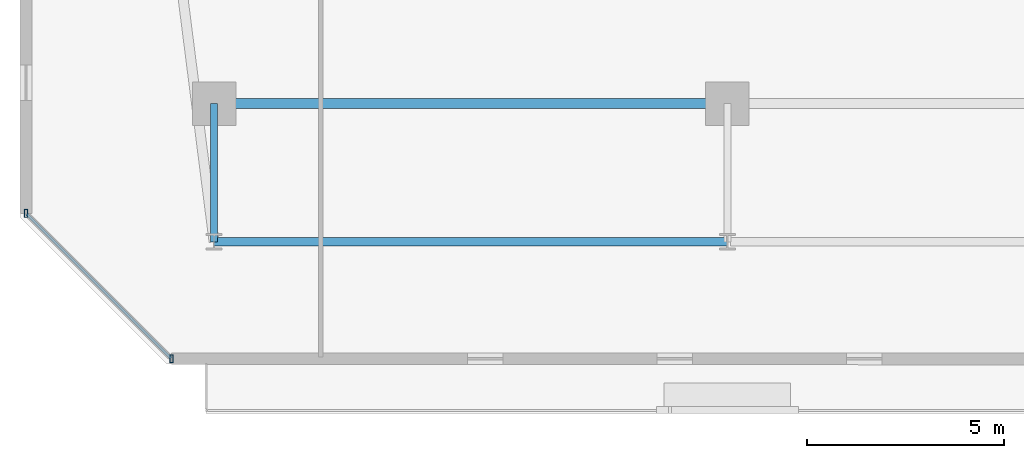
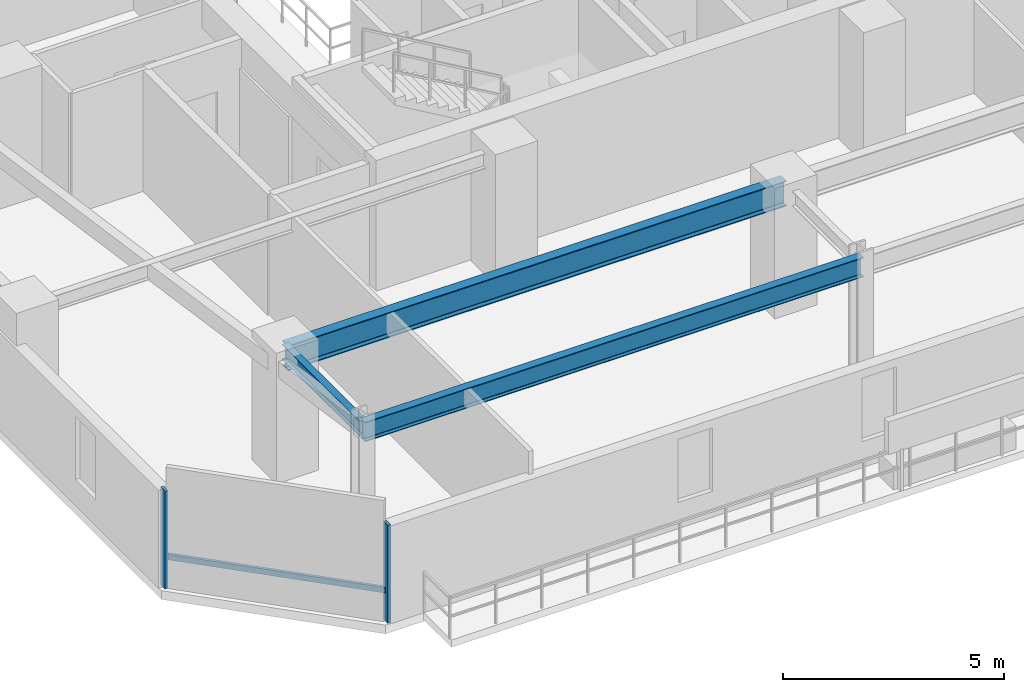
# One storey, part 3 of 32: 3 beams, 3 members, 1 element without a shape of its own.
"""IFC4 building model written with IfcOpenShell, lengths in metres."""

import ifcopenshell
import ifcopenshell.guid

model = None  # the IFC model being written
_history = None  # IfcOwnerHistory: only IFC2X3 demands one
_inside = {}  # id of a spatial element -> (the spatial element, [elements in it])
_under = {}  # id of a project, library or spatial element -> (it, [spatial elements below it])
_declared = {}  # id of a project -> (the project, [libraries it declares])
_typed = {}  # id of a type object -> (the type object, [elements of that type])
_made_of = {}  # id of a material, layer set ... -> (it, [elements and type objects made of it])


def new_model(schema):
    """Start an empty IFC model of exactly this schema.

    Asked for "IFC4X3", IfcOpenShell would pick the latest addendum, in which some entities
    have other attributes; the version numbers below select the first issue.
    IFC2X3 requires an IfcOwnerHistory on every rooted entity: one is made here for all.
    """
    global model, _history
    if schema == "IFC4X3":
        model = ifcopenshell.file(schema_version=(4, 3, 0, 0))
    else:
        model = ifcopenshell.file(schema=schema)
    _inside.clear()
    _under.clear()
    _declared.clear()
    _typed.clear()
    _made_of.clear()
    _history = None
    if model.schema == "IFC2X3":
        org = make("IfcOrganization", Name="unknown")
        user = make(
            "IfcPersonAndOrganization",
            ThePerson=make("IfcPerson", FamilyName="unknown"),
            TheOrganization=org,
        )
        app = make(
            "IfcApplication",
            ApplicationDeveloper=org,
            Version="unknown",
            ApplicationFullName="unknown",
            ApplicationIdentifier="unknown",
        )
        _history = make(
            "IfcOwnerHistory",
            OwningUser=user,
            OwningApplication=app,
            ChangeAction="ADDED",
            CreationDate=0,
        )
    return model


def make(cls, **values):
    """One entity of the class cls with the attributes given. An attribute that is None is left unset."""
    return model.create_entity(
        cls, **{name: value for name, value in values.items() if value is not None}
    )


def rooted(cls, **values):
    """An entity with a GlobalId (a new one), such as an element, a storey or a relation."""
    return make(cls, GlobalId=ifcopenshell.guid.new(), OwnerHistory=_history, **values)


def si_unit(unit_type, name, prefix=None):
    """IfcSIUnit, for example si_unit("LENGTHUNIT", "METRE", prefix="MILLI")."""
    return make("IfcSIUnit", UnitType=unit_type, Prefix=prefix, Name=name)


def assignment(units):
    """IfcUnitAssignment: the units of a project."""
    return None if units is None else make("IfcUnitAssignment", Units=units)


def point(xyz):
    """IfcCartesianPoint."""
    return None if xyz is None else make("IfcCartesianPoint", Coordinates=xyz)


def direction(xyz):
    """IfcDirection."""
    return None if xyz is None else make("IfcDirection", DirectionRatios=xyz)


def frame(location, z_axis=None, x_axis=None):
    """IfcAxis2Placement3D, a coordinate frame: its origin and axes. An axis left out is left unset."""
    return make(
        "IfcAxis2Placement3D",
        Location=point(location),
        Axis=direction(z_axis),
        RefDirection=direction(x_axis),
    )


def frame_2d(location, x_axis=None):
    """IfcAxis2Placement2D, a coordinate frame in the plane: its origin and x axis."""
    return make(
        "IfcAxis2Placement2D", Location=point(location), RefDirection=direction(x_axis)
    )


def origin():
    """The frame at (0, 0, 0) with its axes left unset."""
    return frame((0.0, 0.0, 0.0))


def origin_2d():
    """The frame at (0, 0) in the plane with its x axis left unset."""
    return frame_2d((0.0, 0.0))


def place(relative_to, where):
    """IfcLocalPlacement: puts the frame where relative to a parent placement (None: the world)."""
    return make(
        "IfcLocalPlacement", PlacementRelTo=relative_to, RelativePlacement=where
    )


def context(
    kind, dimensions, precision=None, world=None, true_north=None, identifier=None
):
    """IfcGeometricRepresentationContext, for example the 3D "Model" context."""
    return make(
        "IfcGeometricRepresentationContext",
        ContextIdentifier=identifier,
        ContextType=kind,
        CoordinateSpaceDimension=dimensions,
        Precision=precision,
        WorldCoordinateSystem=world,
        TrueNorth=true_north,
    )


def subcontext(parent, identifier, kind, view, scale=None):
    """IfcGeometricRepresentationSubContext, for example "Body" below "Model"."""
    return make(
        "IfcGeometricRepresentationSubContext",
        ContextIdentifier=identifier,
        ContextType=kind,
        ParentContext=parent,
        TargetScale=scale,
        TargetView=view,
    )


def project(units=None, contexts=None):
    """IfcProject with its units and contexts."""
    return rooted(
        "IfcProject",
        Name="project",
        RepresentationContexts=contexts,
        UnitsInContext=assignment(units),
    )


def spatial(cls, under=None, at=None, **own):
    """A site, building, storey or space (cls), placed at a placement, below another one or the project."""
    s = rooted(cls, ObjectPlacement=at, **own)
    if under is not None:
        _under.setdefault(under.id(), (under, []))[1].append(s)
    return s


def profile(cls, at=None, kind="AREA", **sizes):
    """A parametric profile (cls). Its sizes go by their IFC names, for example OverallWidth=200.0."""
    return make(cls, ProfileType=kind, Position=at, **sizes)


def hollow_rectangle(**sizes):
    """IfcRectangleHollowProfileDef."""
    return profile("IfcRectangleHollowProfileDef", **sizes)


def i_section(**sizes):
    """IfcIShapeProfileDef."""
    return profile("IfcIShapeProfileDef", **sizes)


def extrude(swept, where, along, depth):
    """IfcExtrudedAreaSolid: the profile swept, set in the frame where, extruded along a direction by depth."""
    return make(
        "IfcExtrudedAreaSolid",
        SweptArea=swept,
        Position=where,
        ExtrudedDirection=direction(along),
        Depth=depth,
    )


def shape(context_of_items, identifier, shape_type, items):
    """IfcShapeRepresentation: the items that make up one representation, for example the "Body"."""
    return make(
        "IfcShapeRepresentation",
        ContextOfItems=context_of_items,
        RepresentationIdentifier=identifier,
        RepresentationType=shape_type,
        Items=items,
    )


def material(Name=None, Category=None):
    """IfcMaterial."""
    return make("IfcMaterial", Name=Name, Category=Category)


def material_profile(
    of_material, cross_section, Name=None, Category=None, Priority=None
):
    """IfcMaterialProfile: a cross section and its material."""
    return make(
        "IfcMaterialProfile",
        Name=Name,
        Material=of_material,
        Profile=cross_section,
        Priority=Priority,
        Category=Category,
    )


def profile_set(profiles, Name=None, composite=None):
    """IfcMaterialProfileSet."""
    return make(
        "IfcMaterialProfileSet",
        Name=Name,
        MaterialProfiles=profiles,
        CompositeProfile=composite,
    )


def made_of(thing, what):
    """Note that an element or type object is made of a material, layer set ...; save() writes the relation."""
    if what is not None:
        _made_of.setdefault(what.id(), (what, []))[1].append(thing)
    return thing


def type_object(cls, material=None, **own):
    """A type object (cls), such as IfcWallType, which elements share."""
    return made_of(rooted(cls, **own), material)


def element(
    cls,
    number,
    at=None,
    inside=None,
    cuts=None,
    type_object=None,
    material=None,
    context=None,
    identifier="Body",
    shape_type=None,
    held_by="IfcProductDefinitionShape",
    body=None,
    shapes=None,
    **own,
):
    """One element of the class cls, such as IfcWall. Its Tag is "e" and its number.

    at: its placement. inside: the storey or other place that contains it. cuts: it is an
    opening in that element (IfcRelVoidsElement). A single representation is given by context,
    identifier, shape_type and body (its items); several are given by shapes. held_by: the class
    of the entity that holds the representations. save() writes the other relations.
    """
    e = rooted(cls, Tag="e%d" % number, ObjectPlacement=at, **own)
    if body is not None:
        shapes = [shape(context, identifier, shape_type, body)]
    if shapes is not None:
        e.Representation = make(held_by, Representations=shapes)
    if inside is not None:
        _inside.setdefault(inside.id(), (inside, []))[1].append(e)
    if cuts is not None:
        rooted(
            "IfcRelVoidsElement", RelatingBuildingElement=cuts, RelatedOpeningElement=e
        )
    if type_object is not None:
        _typed.setdefault(type_object.id(), (type_object, []))[1].append(e)
    return made_of(e, material)


def aggregate(whole, parts):
    """IfcRelAggregates: a whole, such as a stair, and the parts it consists of."""
    return rooted("IfcRelAggregates", RelatingObject=whole, RelatedObjects=parts)


def save(model, path):
    """Write the relations noted so far, then the file.

    IfcRelAggregates (storeys below a building ...), IfcRelContainedInSpatialStructure (elements
    in a storey), IfcRelDefinesByType, IfcRelAssociatesMaterial and IfcRelDeclares: one each for
    every whole, place, type object, material and project.
    """
    for whole, parts in _under.values():
        aggregate(whole, parts)
    for where, things in _inside.values():
        rooted(
            "IfcRelContainedInSpatialStructure",
            RelatedElements=things,
            RelatingStructure=where,
        )
    for kind, things in _typed.values():
        rooted("IfcRelDefinesByType", RelatedObjects=things, RelatingType=kind)
    for what, things in _made_of.values():
        rooted("IfcRelAssociatesMaterial", RelatedObjects=things, RelatingMaterial=what)
    for by, libraries in _declared.values():
        rooted("IfcRelDeclares", RelatingContext=by, RelatedDefinitions=libraries)
    model.write(path)


model = new_model("IFC4")

# Units and contexts
model_context = context("Model", 3, precision=1e-05, world=origin(), true_north=direction((0.0, 1.0)))
body_context = subcontext(model_context, "Body", "Model", "MODEL_VIEW")
ifc_project = project(units=[si_unit("LENGTHUNIT", "METRE"), si_unit("AREAUNIT", "SQUARE_METRE"), si_unit("VOLUMEUNIT", "CUBIC_METRE"), si_unit("PLANEANGLEUNIT", "RADIAN"), si_unit("MASSUNIT", "GRAM", prefix="KILO")], contexts=[model_context])

# Site, building, storey
site_placement = place(None, origin())
site = spatial("IfcSite", under=ifc_project, at=site_placement, CompositionType="ELEMENT")
building_placement = place(site_placement, origin())
building = spatial("IfcBuilding", under=site, at=building_placement, Name="Thornwick Lancets Civic Towers", CompositionType="ELEMENT")
storey_placement = place(building_placement, frame((0.0, 0.0, 156.300048828125)))
storey = spatial("IfcBuildingStorey", under=building, at=storey_placement, Name="L41", CompositionType="ELEMENT", Elevation=156.300048828125)

# Beams
ifc_material_1 = material(Name="Steel S355JR", Category="steel")
ifc_material_profile_1 = material_profile(ifc_material_1, i_section(OverallWidth=0.210693359375, OverallDepth=0.53955078125, WebThickness=0.01171875, FlangeThickness=0.018798828125, FilletRadius=0.0126953125, at=origin_2d()), Name="UKB 533x210x109")
ifc_profile_set_1 = profile_set([ifc_material_profile_1], Name="Steel S355JR")
beam_type_1 = type_object("IfcBeamType", Name="BM_EDGE_533_109", PredefinedType="SPANDREL", material=ifc_profile_set_1)
beam_1_placement = place(storey_placement, frame((12.5, 6.199951171875, 3.09033203125), z_axis=(1.0, 0.0, 0.0), x_axis=(0.0, 1.0, 0.0)))
element("IfcBeam", 1, at=beam_1_placement, inside=storey, type_object=beam_type_1, Name="BM-EDGE-L41-A-S0-1", PredefinedType="SPANDREL", context=body_context, shape_type="SweptSolid", body=[
    extrude(i_section(OverallWidth=0.210693359375, OverallDepth=0.53955078125, WebThickness=0.01171875, FlangeThickness=0.018798828125, FilletRadius=0.0126953125, at=origin_2d()), origin(), (0.0, 0.0, 1.0), 13.0),
])
ifc_material_profile_2 = material_profile(ifc_material_1, i_section(OverallWidth=0.255859375, OverallDepth=0.69287109375, WebThickness=0.014404296875, FlangeThickness=0.023681640625, FilletRadius=0.01513671875, at=origin_2d()), Name="UKB 686x254x170")
ifc_profile_set_2 = profile_set([ifc_material_profile_2], Name="Steel S355JR")
beam_type_2 = type_object("IfcBeamType", Name="BM_GIRD_686_170", PredefinedType="BEAM", material=ifc_profile_set_2)
beam_2_placement = place(storey_placement, frame((12.5, 9.699951171875, 3.013427734375), z_axis=(1.0, 0.0, 0.0), x_axis=(0.0, 1.0, 0.0)))
element("IfcBeam", 2, at=beam_2_placement, inside=storey, type_object=beam_type_2, Name="BM-SPINE-L41-A-0-1", PredefinedType="BEAM", context=body_context, shape_type="SweptSolid", body=[
    extrude(i_section(OverallWidth=0.255859375, OverallDepth=0.69287109375, WebThickness=0.014404296875, FlangeThickness=0.023681640625, FilletRadius=0.01513671875, at=origin_2d()), origin(), (0.0, 0.0, 1.0), 13.0),
])
ifc_material_profile_3 = material_profile(ifc_material_1, i_section(OverallWidth=0.179443359375, OverallDepth=0.412841796875, WebThickness=0.009521484375, FlangeThickness=0.01611328125, FilletRadius=0.01025390625, at=origin_2d()), Name="UKB 406x178x74")
ifc_profile_set_3 = profile_set([ifc_material_profile_3], Name="Steel S355JR")
beam_type_3 = type_object("IfcBeamType", Name="BM_JOIST_406_74", PredefinedType="JOIST", material=ifc_profile_set_3)
beam_3_placement = place(storey_placement, frame((12.5, 9.699951171875, 3.153564453125), z_axis=(0.0, -1.0, 0.0), x_axis=(1.0, 0.0, 0.0)))
element("IfcBeam", 3, at=beam_3_placement, inside=storey, type_object=beam_type_3, Name="BM-RAD-L41-A01", PredefinedType="JOIST", context=body_context, shape_type="SweptSolid", body=[
    extrude(i_section(OverallWidth=0.179443359375, OverallDepth=0.412841796875, WebThickness=0.009521484375, FlangeThickness=0.01611328125, FilletRadius=0.01025390625, at=origin_2d()), origin(), (0.0, 0.0, 1.0), 3.5),
])

# Curtain wall, members
ifc_material_2 = material(Name="Mid-zone chamfered-corner unitised glass curtain wall", Category="glass")
curtain_wall_type = type_object("IfcCurtainWallType", Name="CW_SYS_04", PredefinedType="NOTDEFINED", material=ifc_material_2)
curtain_wall_placement = place(storey_placement, origin())
curtain_wall = element("IfcCurtainWall", 4, at=curtain_wall_placement, inside=storey, type_object=curtain_wall_type, Name="L41 Curtain Wall CW-L41-A-E7", PredefinedType="NOTDEFINED")
ifc_material_3 = material(Name="Thermally broken bronze aluminium S355", Category="steel")
ifc_material_profile_4 = material_profile(ifc_material_3, hollow_rectangle(XDim=0.080078125, YDim=0.199951171875, WallThickness=0.006103515625, at=origin_2d()), Name="RHS 200x80x6")
ifc_profile_set_4 = profile_set([ifc_material_profile_4], Name="Thermally broken bronze aluminium S355")
member_type_1 = type_object("IfcMemberType", Name="CW_MUL_200", PredefinedType="MULLION", material=ifc_profile_set_4)
member_1_placement = place(storey_placement, frame((7.739013671875, 6.92236328125, 0.0), z_axis=(0.0, 0.0, 1.0), x_axis=(1.0, 0.0, 0.0)))
member_1 = element("IfcMember", 5, at=member_1_placement, type_object=member_type_1, Name="CW-L41-A-E7 Mullion 0", PredefinedType="MULLION", context=body_context, shape_type="SweptSolid", body=[
    extrude(hollow_rectangle(XDim=0.080078125, YDim=0.199951171875, WallThickness=0.006103515625, at=origin_2d()), origin(), (0.0, 0.0, 1.0), 2.699951171875),
])
member_2_placement = place(storey_placement, frame((11.42236328125, 3.239013671875, 0.0), z_axis=(0.0, 0.0, 1.0), x_axis=(1.0, 0.0, 0.0)))
member_2 = element("IfcMember", 6, at=member_2_placement, type_object=member_type_1, Name="CW-L41-A-E7 Mullion 1", PredefinedType="MULLION", context=body_context, shape_type="SweptSolid", body=[
    extrude(hollow_rectangle(XDim=0.080078125, YDim=0.199951171875, WallThickness=0.006103515625, at=origin_2d()), origin(), (0.0, 0.0, 1.0), 2.699951171875),
])
ifc_material_profile_5 = material_profile(ifc_material_3, hollow_rectangle(XDim=0.074951171875, YDim=0.14990234375, WallThickness=0.0048828125, at=origin_2d()), Name="RHS 150x75x5")
ifc_profile_set_5 = profile_set([ifc_material_profile_5], Name="Thermally broken bronze aluminium S355")
member_type_2 = type_object("IfcMemberType", Name="CW_TRN_150", PredefinedType="USERDEFINED", material=ifc_profile_set_5)
member_3_placement = place(storey_placement, frame((7.753173828125, 6.908203125, 0.849853515625), z_axis=(0.707106781187, -0.707106781187, 0.0), x_axis=(0.707106781187, 0.707106781187, 0.0)))
member_3 = element("IfcMember", 7, at=member_3_placement, type_object=member_type_2, Name="CW-L41-A-E7 Transom 0", ObjectType="TRANSOM", PredefinedType="USERDEFINED", context=body_context, shape_type="SweptSolid", body=[
    extrude(hollow_rectangle(XDim=0.074951171875, YDim=0.14990234375, WallThickness=0.0048828125, at=origin_2d()), origin(), (0.0, 0.0, 1.0), 5.1689453125),
])
aggregate(curtain_wall, [member_1, member_2, member_3])

save(model, "model.ifc")
